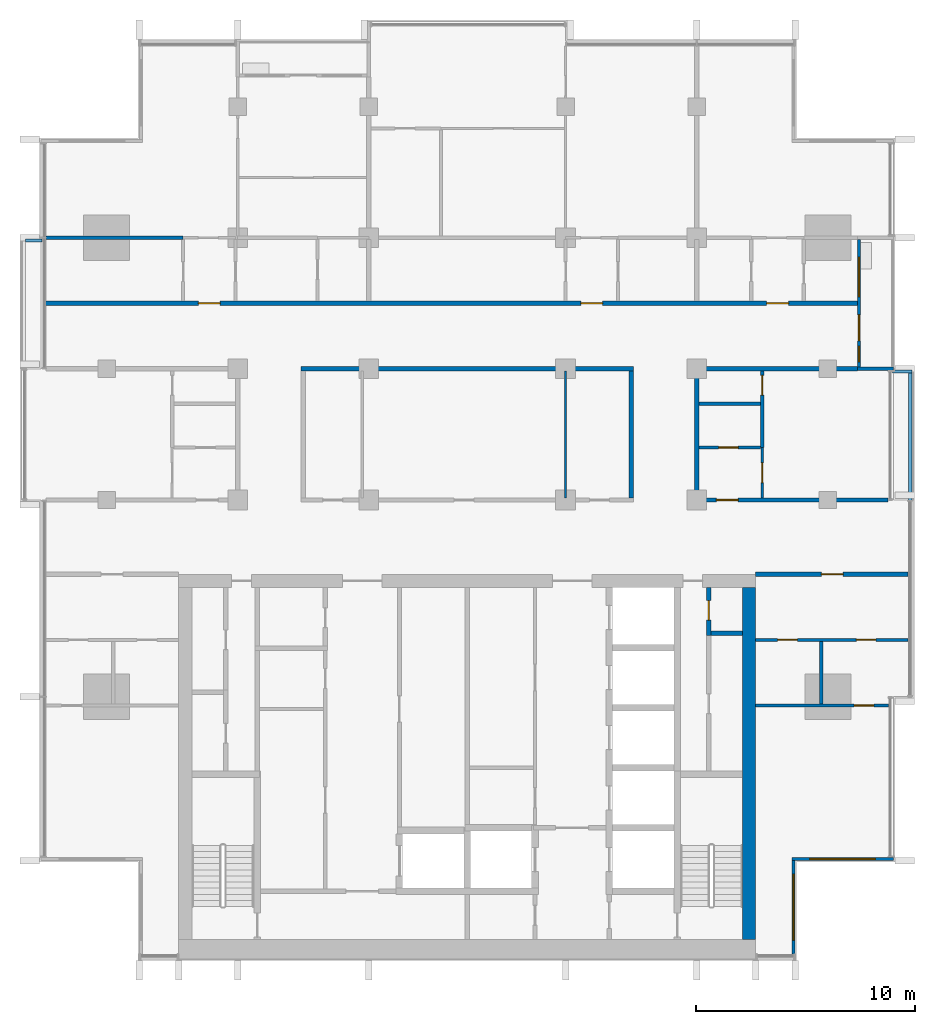
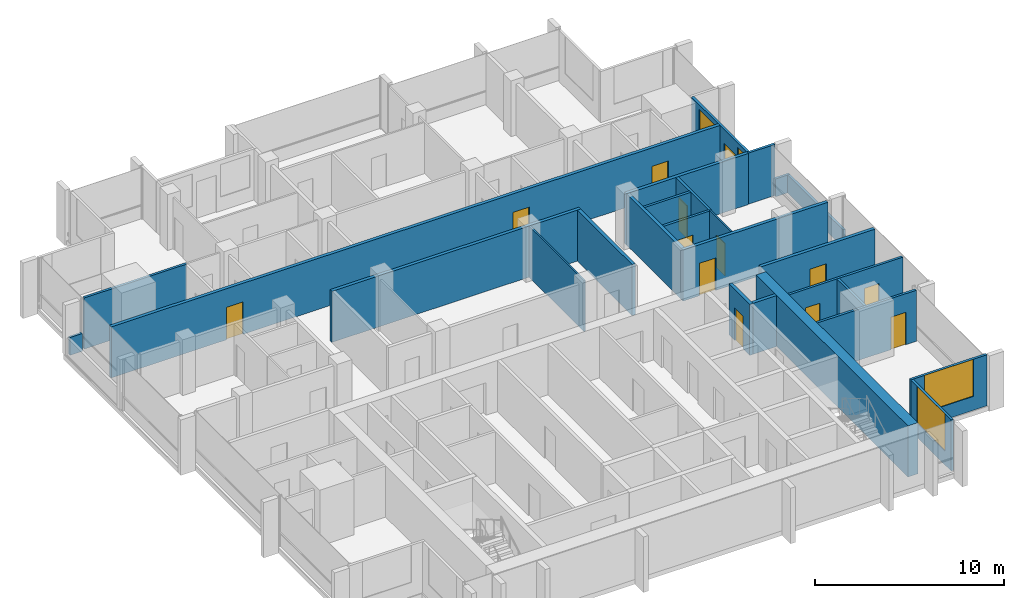
# One storey, part 9 of 16: 26 walls, 13 doors, 4 windows, 17 openings.
"""IFC4 building model written with IfcOpenShell, lengths in metres."""

from ifc_helpers import new_model, si_unit, direction, frame, frame_2d, origin, place, context, subcontext, project, spatial, rectangle, extrude, material, layer, layer_set, type_object, element, fill, save


model = new_model("IFC4")

# Units and contexts
model_context = context("Model", 3, precision=1e-05, world=origin(), true_north=direction((0.0, 1.0)))
body_context = subcontext(model_context, "Body", "Model", "MODEL_VIEW")
ifc_project = project(units=[si_unit("LENGTHUNIT", "METRE"), si_unit("AREAUNIT", "SQUARE_METRE"), si_unit("VOLUMEUNIT", "CUBIC_METRE"), si_unit("PLANEANGLEUNIT", "RADIAN"), si_unit("MASSUNIT", "GRAM", prefix="KILO")], contexts=[model_context])

# Site, building, storey
site_placement = place(None, origin())
site = spatial("IfcSite", under=ifc_project, at=site_placement, CompositionType="ELEMENT")
building_placement = place(site_placement, origin())
building = spatial("IfcBuilding", under=site, at=building_placement, Name="Finial Court Residences", CompositionType="ELEMENT")
storey_placement = place(building_placement, frame((0.0, 0.0, 237.5)))
storey = spatial("IfcBuildingStorey", under=building, at=storey_placement, Name="L60", CompositionType="ELEMENT", Elevation=237.5)

# Wall
ifc_material_1 = material(Name="Concrete C60/75", Category="concrete")
ifc_layer_1 = layer(ifc_material_1, 0.60009765625)
ifc_layer_set_1 = layer_set([ifc_layer_1], Name="Core outer wall 600 Concrete C60/75")
wall_type_1 = type_object("IfcWallType", Name="Core outer wall 600 Concrete C60/75", PredefinedType="SHEAR", material=ifc_layer_set_1)
wall_1_placement = place(storey_placement, frame((12.89990234375, -24.60009765625, 0.0), z_axis=(0.0, 0.0, 1.0), x_axis=(0.0, 1.0, 0.0)))
element("IfcWall", 1, at=wall_1_placement, inside=storey, type_object=wall_type_1, Name="Core outer wall L60-04", PredefinedType="SHEAR", context=body_context, shape_type="SweptSolid", body=[
    extrude(rectangle(XDim=16.10009765625, YDim=0.60009765625, at=frame_2d((8.050048828125, 0.0))), origin(), (0.0, 0.0, 1.0), 3.300048828125),
])

# Wall, opening, door
ifc_material_2 = material(Name="Gypsum board")
ifc_layer_2 = layer(ifc_material_2, 0.02490234375)
ifc_material_3 = material(Name="Acoustic mineral wool in double frame")
ifc_layer_3 = layer(ifc_material_3, 0.14990234375)
ifc_layer_4 = layer(ifc_material_2, 0.02490234375)
ifc_layer_set_2 = layer_set([ifc_layer_2, ifc_layer_3, ifc_layer_4], Name="Corridor wall 200, 1 hour")
wall_type_2 = type_object("IfcWallType", Name="Corridor wall 200, 1 hour", PredefinedType="PARTITIONING", material=ifc_layer_set_2)
wall_2_placement = place(storey_placement, frame((13.199951171875, -7.89990234375, 0.0), z_axis=(0.0, 0.0, 1.0), x_axis=(1.0, 0.0, 0.0)))
wall_2 = element("IfcWall", 2, at=wall_2_placement, inside=storey, type_object=wall_type_2, Name="Partition L60-005", PredefinedType="PARTITIONING", context=body_context, shape_type="SweptSolid", body=[
    extrude(rectangle(XDim=6.962646484375, YDim=0.199951171875, at=frame_2d((3.4814453125, 0.0))), origin(), (0.0, 0.0, 1.0), 3.300048828125),
])
opening_1_placement = place(wall_2_placement, frame((3.0, 0.0, 0.0)))
opening_1 = element("IfcOpeningElement", 3, at=opening_1_placement, cuts=wall_2, Name="Opening L60-D008", PredefinedType="OPENING", context=body_context, shape_type="SweptSolid", body=[
    extrude(rectangle(XDim=1.0, YDim=2.10009765625, at=frame_2d((0.5, 1.050048828125))), frame((0.0, 0.10986328125, 0.0), z_axis=(0.0, -1.0, 0.0), x_axis=(1.0, 0.0, 0.0)), (0.0, 0.0, 1.0), 0.219970703125),
])
ifc_material_4 = material(Name="Timber door leaf in hollow metal frame", Category="wood")
door_type_1 = type_object("IfcDoorType", Name="Fire door set 1000 x 2100, 30 minutes", OperationType="SINGLE_SWING_LEFT", PredefinedType="DOOR", material=ifc_material_4)
door_1_placement = place(opening_1_placement, origin())
door_1 = element("IfcDoor", 4, at=door_1_placement, inside=storey, type_object=door_type_1, Name="Door L60-D008", OperationType="SINGLE_SWING_RIGHT", OverallHeight=2.10009765625, OverallWidth=1.0, PredefinedType="DOOR", context=body_context, shape_type="SweptSolid", body=[
    extrude(rectangle(XDim=1.0, YDim=2.10009765625, at=frame_2d((0.5, 1.050048828125))), frame((0.0, 0.02490234375, 0.0), z_axis=(0.0, -1.0, 0.0), x_axis=(1.0, 0.0, 0.0)), (0.0, 0.0, 1.0), 0.050048828125),
])
fill(opening_1, door_1)

wall_3_placement = place(storey_placement, frame((10.39990234375, -4.5, 0.0), z_axis=(0.0, 0.0, 1.0), x_axis=(1.0, 0.0, 0.0)))
wall_3 = element("IfcWall", 5, at=wall_3_placement, inside=storey, type_object=wall_type_2, Name="Partition L60-008", PredefinedType="PARTITIONING", context=body_context, shape_type="SweptSolid", body=[
    extrude(rectangle(XDim=8.862548828125, YDim=0.199951171875, at=frame_2d((4.43115234375, 0.0))), origin(), (0.0, 0.0, 1.0), 3.300048828125),
])
opening_2_placement = place(wall_3_placement, frame((1.0, 0.0, 0.0)))
opening_2 = element("IfcOpeningElement", 6, at=opening_2_placement, cuts=wall_3, Name="Opening L60-D013", PredefinedType="OPENING", context=body_context, shape_type="SweptSolid", body=[
    extrude(rectangle(XDim=1.0, YDim=2.10009765625, at=frame_2d((0.5, 1.050048828125))), frame((0.0, 0.10986328125, 0.0), z_axis=(0.0, -1.0, 0.0), x_axis=(1.0, 0.0, 0.0)), (0.0, 0.0, 1.0), 0.219970703125),
])
door_2_placement = place(opening_2_placement, origin())
door_2 = element("IfcDoor", 7, at=door_2_placement, inside=storey, type_object=door_type_1, Name="Door L60-D013", OperationType="SINGLE_SWING_RIGHT", OverallHeight=2.10009765625, OverallWidth=1.0, PredefinedType="DOOR", context=body_context, shape_type="SweptSolid", body=[
    extrude(rectangle(XDim=1.0, YDim=2.10009765625, at=frame_2d((0.5, 1.050048828125))), frame((0.0, 0.02490234375, 0.0), z_axis=(0.0, -1.0, 0.0), x_axis=(1.0, 0.0, 0.0)), (0.0, 0.0, 1.0), 0.050048828125),
])
fill(opening_2, door_2)

# Walls
wall_4_placement = place(storey_placement, frame((-7.60009765625, 1.5, 0.0), z_axis=(0.0, 0.0, 1.0), x_axis=(1.0, 0.0, 0.0)))
element("IfcWall", 8, at=wall_4_placement, inside=storey, type_object=wall_type_2, Name="Partition L60-014", PredefinedType="PARTITIONING", context=body_context, shape_type="SweptSolid", body=[
    extrude(rectangle(XDim=15.2001953125, YDim=0.199951171875, at=frame_2d((7.60009765625, 0.0))), origin(), (0.0, 0.0, 1.0), 3.300048828125),
])
wall_5_placement = place(storey_placement, frame((10.39990234375, 1.5, 0.0), z_axis=(0.0, 0.0, 1.0), x_axis=(1.0, 0.0, 0.0)))
element("IfcWall", 9, at=wall_5_placement, inside=storey, type_object=wall_type_2, Name="Partition L60-015", PredefinedType="PARTITIONING", context=body_context, shape_type="SweptSolid", body=[
    extrude(rectangle(XDim=7.4501953125, YDim=0.199951171875, at=frame_2d((3.72509765625, 0.0))), origin(), (0.0, 0.0, 1.0), 3.300048828125),
])

# Wall, openings, doors
wall_6_placement = place(storey_placement, frame((-19.35009765625, 4.5, 0.0), z_axis=(0.0, 0.0, 1.0), x_axis=(1.0, 0.0, 0.0)))
wall_6 = element("IfcWall", 10, at=wall_6_placement, inside=storey, type_object=wall_type_2, Name="Partition L60-016", PredefinedType="PARTITIONING", context=body_context, shape_type="SweptSolid", body=[
    extrude(rectangle(XDim=37.2001953125, YDim=0.199951171875, at=frame_2d((18.60009765625, 0.0))), origin(), (0.0, 0.0, 1.0), 3.300048828125),
])
opening_3_placement = place(wall_6_placement, frame((7.050048828125, 0.0, 0.0)))
opening_3 = element("IfcOpeningElement", 11, at=opening_3_placement, cuts=wall_6, Name="Opening L60-D016", PredefinedType="OPENING", context=body_context, shape_type="SweptSolid", body=[
    extrude(rectangle(XDim=1.0, YDim=2.10009765625, at=frame_2d((0.5, 1.050048828125))), frame((0.0, 0.10986328125, 0.0), z_axis=(0.0, -1.0, 0.0), x_axis=(1.0, 0.0, 0.0)), (0.0, 0.0, 1.0), 0.219970703125),
])
opening_4_placement = place(wall_6_placement, frame((24.550048828125, 0.0, 0.0)))
opening_4 = element("IfcOpeningElement", 12, at=opening_4_placement, cuts=wall_6, Name="Opening L60-D017", PredefinedType="OPENING", context=body_context, shape_type="SweptSolid", body=[
    extrude(rectangle(XDim=1.0, YDim=2.10009765625, at=frame_2d((0.5, 1.050048828125))), frame((0.0, 0.10986328125, 0.0), z_axis=(0.0, -1.0, 0.0), x_axis=(1.0, 0.0, 0.0)), (0.0, 0.0, 1.0), 0.219970703125),
])
opening_5_placement = place(wall_6_placement, frame((33.050048828125, 0.0, 0.0)))
opening_5 = element("IfcOpeningElement", 13, at=opening_5_placement, cuts=wall_6, Name="Opening L60-D018", PredefinedType="OPENING", context=body_context, shape_type="SweptSolid", body=[
    extrude(rectangle(XDim=1.0, YDim=2.10009765625, at=frame_2d((0.5, 1.050048828125))), frame((0.0, 0.10986328125, 0.0), z_axis=(0.0, -1.0, 0.0), x_axis=(1.0, 0.0, 0.0)), (0.0, 0.0, 1.0), 0.219970703125),
])
door_3_placement = place(opening_3_placement, origin())
door_3 = element("IfcDoor", 14, at=door_3_placement, inside=storey, type_object=door_type_1, Name="Door L60-D016", OperationType="SINGLE_SWING_RIGHT", OverallHeight=2.10009765625, OverallWidth=1.0, PredefinedType="DOOR", context=body_context, shape_type="SweptSolid", body=[
    extrude(rectangle(XDim=1.0, YDim=2.10009765625, at=frame_2d((0.5, 1.050048828125))), frame((0.0, 0.02490234375, 0.0), z_axis=(0.0, -1.0, 0.0), x_axis=(1.0, 0.0, 0.0)), (0.0, 0.0, 1.0), 0.050048828125),
])
fill(opening_3, door_3)
door_4_placement = place(opening_4_placement, origin())
door_4 = element("IfcDoor", 15, at=door_4_placement, inside=storey, type_object=door_type_1, Name="Door L60-D017", OperationType="SINGLE_SWING_LEFT", OverallHeight=2.10009765625, OverallWidth=1.0, PredefinedType="DOOR", context=body_context, shape_type="SweptSolid", body=[
    extrude(rectangle(XDim=1.0, YDim=2.10009765625, at=frame_2d((0.5, 1.050048828125))), frame((0.0, 0.02490234375, 0.0), z_axis=(0.0, -1.0, 0.0), x_axis=(1.0, 0.0, 0.0)), (0.0, 0.0, 1.0), 0.050048828125),
])
fill(opening_4, door_4)
door_5_placement = place(opening_5_placement, origin())
door_5 = element("IfcDoor", 16, at=door_5_placement, inside=storey, type_object=door_type_1, Name="Door L60-D018", OperationType="SINGLE_SWING_LEFT", OverallHeight=2.10009765625, OverallWidth=1.0, PredefinedType="DOOR", context=body_context, shape_type="SweptSolid", body=[
    extrude(rectangle(XDim=1.0, YDim=2.10009765625, at=frame_2d((0.5, 1.050048828125))), frame((0.0, 0.02490234375, 0.0), z_axis=(0.0, -1.0, 0.0), x_axis=(1.0, 0.0, 0.0)), (0.0, 0.0, 1.0), 0.050048828125),
])
fill(opening_5, door_5)

# Walls
for number, where, z_axis, x_axis, name in (
    (17, (7.5, -4.39990234375, 0.0), (0.0, 0.0, 1.0), (0.0, 1.0, 0.0), "Partition L60-046"),
    (18, (10.5, -4.39990234375, 0.0), (0.0, 0.0, 1.0), (0.0, 1.0, 0.0), "Partition L60-047"),
):
    element("IfcWall", number, at=place(storey_placement, frame(where, z_axis=z_axis, x_axis=x_axis)), inside=storey, type_object=wall_type_2, Name=name, PredefinedType="PARTITIONING", context=body_context, shape_type="SweptSolid", body=[
        extrude(rectangle(XDim=5.7998046875, YDim=0.199951171875, at=frame_2d((2.89990234375, 0.0))), origin(), (0.0, 0.0, 1.0), 3.300048828125),
    ])
ifc_layer_5 = layer(ifc_material_2, 0.012451171875)
ifc_material_5 = material(Name="Mineral wool in light-gauge frame")
ifc_layer_6 = layer(ifc_material_5, 0.074951171875)
ifc_layer_7 = layer(ifc_material_2, 0.012451171875)
ifc_layer_set_3 = layer_set([ifc_layer_5, ifc_layer_6, ifc_layer_7], Name="Gypsum board partition 100")
wall_type_3 = type_object("IfcWallType", Name="Gypsum board partition 100", PredefinedType="PARTITIONING", material=ifc_layer_set_3)
wall_7_placement = place(storey_placement, frame((4.5, -4.39990234375, 0.0), z_axis=(0.0, 0.0, 1.0), x_axis=(0.0, 1.0, 0.0)))
element("IfcWall", 19, at=wall_7_placement, inside=storey, type_object=wall_type_3, Name="Partition L60-042", PredefinedType="PARTITIONING", context=body_context, shape_type="SweptSolid", body=[
    extrude(rectangle(XDim=5.7998046875, YDim=0.10009765625, at=frame_2d((2.89990234375, 0.0))), origin(), (0.0, 0.0, 1.0), 3.300048828125),
])

# Wall, opening, door
wall_8_placement = place(storey_placement, frame((13.5, -4.39990234375, 0.0), z_axis=(0.0, 0.0, 1.0), x_axis=(0.0, 1.0, 0.0)))
wall_8 = element("IfcWall", 20, at=wall_8_placement, inside=storey, type_object=wall_type_3, Name="Partition L60-051", PredefinedType="PARTITIONING", context=body_context, shape_type="SweptSolid", body=[
    extrude(rectangle(XDim=2.2998046875, YDim=0.10009765625, at=frame_2d((1.14990234375, 0.0))), origin(), (0.0, 0.0, 1.0), 3.300048828125),
])
opening_6_placement = place(wall_8_placement, frame((0.699951171875, 0.0, 0.0)))
opening_6 = element("IfcOpeningElement", 21, at=opening_6_placement, cuts=wall_8, Name="Opening L60-D035", PredefinedType="OPENING", context=body_context, shape_type="SweptSolid", body=[
    extrude(rectangle(XDim=0.89990234375, YDim=2.10009765625, at=frame_2d((0.449951171875, 1.050048828125))), frame((0.0, 0.06005859375, 0.0), z_axis=(0.0, -1.0, 0.0), x_axis=(1.0, 0.0, 0.0)), (0.0, 0.0, 1.0), 0.1201171875),
])
ifc_material_6 = material(Name="Timber door leaf in timber frame", Category="wood")
door_type_2 = type_object("IfcDoorType", Name="Door set 900 x 2100", OperationType="SINGLE_SWING_LEFT", PredefinedType="DOOR", material=ifc_material_6)
door_6_placement = place(opening_6_placement, origin())
door_6 = element("IfcDoor", 22, at=door_6_placement, inside=storey, type_object=door_type_2, Name="Door L60-D035", OperationType="SINGLE_SWING_LEFT", OverallHeight=2.10009765625, OverallWidth=0.89990234375, PredefinedType="DOOR", context=body_context, shape_type="SweptSolid", body=[
    extrude(rectangle(XDim=0.89990234375, YDim=2.10009765625, at=frame_2d((0.449951171875, 1.050048828125))), frame((0.0, 0.02490234375, 0.0), z_axis=(0.0, -1.0, 0.0), x_axis=(1.0, 0.0, 0.0)), (0.0, 0.0, 1.0), 0.050048828125),
])
fill(opening_6, door_6)

ifc_material_7 = material(Name="Moisture-resistant gypsum board")
ifc_layer_8 = layer(ifc_material_7, 0.012451171875)
ifc_layer_9 = layer(ifc_material_5, 0.125)
ifc_layer_10 = layer(ifc_material_7, 0.012451171875)
ifc_layer_set_4 = layer_set([ifc_layer_8, ifc_layer_9, ifc_layer_10], Name="Gypsum board wet-area partition 150")
wall_type_4 = type_object("IfcWallType", Name="Gypsum board wet-area partition 150", PredefinedType="PARTITIONING", material=ifc_layer_set_4)
wall_9_placement = place(storey_placement, frame((13.199951171875, -13.89990234375, 0.0), z_axis=(0.0, 0.0, 1.0), x_axis=(1.0, 0.0, 0.0)))
wall_9 = element("IfcWall", 23, at=wall_9_placement, inside=storey, type_object=wall_type_4, Name="Partition L60-001", PredefinedType="PARTITIONING", context=body_context, shape_type="SweptSolid", body=[
    extrude(rectangle(XDim=6.0625, YDim=0.14990234375, at=frame_2d((3.03125, 0.0))), origin(), (0.0, 0.0, 1.0), 3.300048828125),
])
opening_7_placement = place(wall_9_placement, frame((4.5, 0.0, 0.0)))
opening_7 = element("IfcOpeningElement", 24, at=opening_7_placement, cuts=wall_9, Name="Opening L60-D002", PredefinedType="OPENING", context=body_context, shape_type="SweptSolid", body=[
    extrude(rectangle(XDim=0.89990234375, YDim=2.10009765625, at=frame_2d((0.449951171875, 1.050048828125))), frame((0.0, 0.0849609375, 0.0), z_axis=(0.0, -1.0, 0.0), x_axis=(1.0, 0.0, 0.0)), (0.0, 0.0, 1.0), 0.169921875),
])
door_7_placement = place(opening_7_placement, origin())
door_7 = element("IfcDoor", 25, at=door_7_placement, inside=storey, type_object=door_type_2, Name="Door L60-D002", OperationType="SINGLE_SWING_RIGHT", OverallHeight=2.10009765625, OverallWidth=0.89990234375, PredefinedType="DOOR", context=body_context, shape_type="SweptSolid", body=[
    extrude(rectangle(XDim=0.89990234375, YDim=2.10009765625, at=frame_2d((0.449951171875, 1.050048828125))), frame((0.0, 0.02490234375, 0.0), z_axis=(0.0, -1.0, 0.0), x_axis=(1.0, 0.0, 0.0)), (0.0, 0.0, 1.0), 0.050048828125),
])
fill(opening_7, door_7)

# Wall, openings, doors
wall_10_placement = place(storey_placement, frame((13.199951171875, -10.89990234375, 0.0), z_axis=(0.0, 0.0, 1.0), x_axis=(1.0, 0.0, 0.0)))
wall_10 = element("IfcWall", 26, at=wall_10_placement, inside=storey, type_object=wall_type_4, Name="Partition L60-003", PredefinedType="PARTITIONING", context=body_context, shape_type="SweptSolid", body=[
    extrude(rectangle(XDim=6.962646484375, YDim=0.14990234375, at=frame_2d((3.4814453125, 0.0))), origin(), (0.0, 0.0, 1.0), 3.300048828125),
])
opening_8_placement = place(wall_10_placement, frame((1.0, 0.0, 0.0)))
opening_8 = element("IfcOpeningElement", 27, at=opening_8_placement, cuts=wall_10, Name="Opening L60-D005", PredefinedType="OPENING", context=body_context, shape_type="SweptSolid", body=[
    extrude(rectangle(XDim=0.89990234375, YDim=2.10009765625, at=frame_2d((0.449951171875, 1.050048828125))), frame((0.0, 0.0849609375, 0.0), z_axis=(0.0, -1.0, 0.0), x_axis=(1.0, 0.0, 0.0)), (0.0, 0.0, 1.0), 0.169921875),
])
opening_9_placement = place(wall_10_placement, frame((4.60009765625, 0.0, 0.0)))
opening_9 = element("IfcOpeningElement", 28, at=opening_9_placement, cuts=wall_10, Name="Opening L60-D006", PredefinedType="OPENING", context=body_context, shape_type="SweptSolid", body=[
    extrude(rectangle(XDim=0.89990234375, YDim=2.10009765625, at=frame_2d((0.449951171875, 1.050048828125))), frame((0.0, 0.0849609375, 0.0), z_axis=(0.0, -1.0, 0.0), x_axis=(1.0, 0.0, 0.0)), (0.0, 0.0, 1.0), 0.169921875),
])
door_8_placement = place(opening_8_placement, origin())
door_8 = element("IfcDoor", 29, at=door_8_placement, inside=storey, type_object=door_type_2, Name="Door L60-D005", OperationType="SINGLE_SWING_LEFT", OverallHeight=2.10009765625, OverallWidth=0.89990234375, PredefinedType="DOOR", context=body_context, shape_type="SweptSolid", body=[
    extrude(rectangle(XDim=0.89990234375, YDim=2.10009765625, at=frame_2d((0.449951171875, 1.050048828125))), frame((0.0, 0.02490234375, 0.0), z_axis=(0.0, -1.0, 0.0), x_axis=(1.0, 0.0, 0.0)), (0.0, 0.0, 1.0), 0.050048828125),
])
fill(opening_8, door_8)
door_9_placement = place(opening_9_placement, origin())
door_9 = element("IfcDoor", 30, at=door_9_placement, inside=storey, type_object=door_type_2, Name="Door L60-D006", OperationType="SINGLE_SWING_RIGHT", OverallHeight=2.10009765625, OverallWidth=0.89990234375, PredefinedType="DOOR", context=body_context, shape_type="SweptSolid", body=[
    extrude(rectangle(XDim=0.89990234375, YDim=2.10009765625, at=frame_2d((0.449951171875, 1.050048828125))), frame((0.0, 0.02490234375, 0.0), z_axis=(0.0, -1.0, 0.0), x_axis=(1.0, 0.0, 0.0)), (0.0, 0.0, 1.0), 0.050048828125),
])
fill(opening_9, door_9)

# Wall, opening, door
wall_11_placement = place(storey_placement, frame((10.60009765625, -2.10009765625, 0.0), z_axis=(0.0, 0.0, 1.0), x_axis=(1.0, 0.0, 0.0)))
wall_11 = element("IfcWall", 31, at=wall_11_placement, inside=storey, type_object=wall_type_4, Name="Partition L60-010", PredefinedType="PARTITIONING", context=body_context, shape_type="SweptSolid", body=[
    extrude(rectangle(XDim=2.824951171875, YDim=0.14990234375, at=frame_2d((1.41259765625, 0.0))), origin(), (0.0, 0.0, 1.0), 3.300048828125),
])
opening_10_placement = place(wall_11_placement, frame((0.89990234375, 0.0, 0.0)))
opening_10 = element("IfcOpeningElement", 32, at=opening_10_placement, cuts=wall_11, Name="Opening L60-D015", PredefinedType="OPENING", context=body_context, shape_type="SweptSolid", body=[
    extrude(rectangle(XDim=0.89990234375, YDim=2.10009765625, at=frame_2d((0.449951171875, 1.050048828125))), frame((0.0, 0.0849609375, 0.0), z_axis=(0.0, -1.0, 0.0), x_axis=(1.0, 0.0, 0.0)), (0.0, 0.0, 1.0), 0.169921875),
])
door_10_placement = place(opening_10_placement, origin())
door_10 = element("IfcDoor", 33, at=door_10_placement, inside=storey, type_object=door_type_2, Name="Door L60-D015", OperationType="SINGLE_SWING_LEFT", OverallHeight=2.10009765625, OverallWidth=0.89990234375, PredefinedType="DOOR", context=body_context, shape_type="SweptSolid", body=[
    extrude(rectangle(XDim=0.89990234375, YDim=2.10009765625, at=frame_2d((0.449951171875, 1.050048828125))), frame((0.0, 0.02490234375, 0.0), z_axis=(0.0, -1.0, 0.0), x_axis=(1.0, 0.0, 0.0)), (0.0, 0.0, 1.0), 0.050048828125),
])
fill(opening_10, door_10)

# Walls
wall_12_placement = place(storey_placement, frame((10.60009765625, -0.10009765625, 0.0), z_axis=(0.0, 0.0, 1.0), x_axis=(1.0, 0.0, 0.0)))
element("IfcWall", 34, at=wall_12_placement, inside=storey, type_object=wall_type_4, Name="Partition L60-012", PredefinedType="PARTITIONING", context=body_context, shape_type="SweptSolid", body=[
    extrude(rectangle(XDim=2.824951171875, YDim=0.14990234375, at=frame_2d((1.41259765625, 0.0))), origin(), (0.0, 0.0, 1.0), 3.300048828125),
])
wall_13_placement = place(storey_placement, frame((-19.262451171875, 7.5, 0.0), z_axis=(0.0, 0.0, 1.0), x_axis=(1.0, 0.0, 0.0)))
element("IfcWall", 35, at=wall_13_placement, inside=storey, type_object=wall_type_4, Name="Partition L60-021", PredefinedType="PARTITIONING", context=body_context, shape_type="SweptSolid", body=[
    extrude(rectangle(XDim=6.262451171875, YDim=0.14990234375, at=frame_2d((3.13134765625, 0.0))), origin(), (0.0, 0.0, 1.0), 3.300048828125),
])

# Wall, opening, door
wall_14_placement = place(storey_placement, frame((13.5, -2.10009765625, 0.0), z_axis=(0.0, 0.0, 1.0), x_axis=(0.0, 1.0, 0.0)))
wall_14 = element("IfcWall", 36, at=wall_14_placement, inside=storey, type_object=wall_type_4, Name="Partition L60-052", PredefinedType="PARTITIONING", context=body_context, shape_type="SweptSolid", body=[
    extrude(rectangle(XDim=3.5, YDim=0.14990234375, at=frame_2d((1.75, 0.0))), origin(), (0.0, 0.0, 1.0), 3.300048828125),
])
opening_11_placement = place(wall_14_placement, frame((2.39990234375, 0.0, 0.0)))
opening_11 = element("IfcOpeningElement", 37, at=opening_11_placement, cuts=wall_14, Name="Opening L60-D036", PredefinedType="OPENING", context=body_context, shape_type="SweptSolid", body=[
    extrude(rectangle(XDim=0.89990234375, YDim=2.10009765625, at=frame_2d((0.449951171875, 1.050048828125))), frame((0.0, 0.0849609375, 0.0), z_axis=(0.0, -1.0, 0.0), x_axis=(1.0, 0.0, 0.0)), (0.0, 0.0, 1.0), 0.169921875),
])
door_11_placement = place(opening_11_placement, origin())
door_11 = element("IfcDoor", 38, at=door_11_placement, inside=storey, type_object=door_type_2, Name="Door L60-D036", OperationType="SINGLE_SWING_LEFT", OverallHeight=2.10009765625, OverallWidth=0.89990234375, PredefinedType="DOOR", context=body_context, shape_type="SweptSolid", body=[
    extrude(rectangle(XDim=0.89990234375, YDim=2.10009765625, at=frame_2d((0.449951171875, 1.050048828125))), frame((0.0, 0.02490234375, 0.0), z_axis=(0.0, -1.0, 0.0), x_axis=(1.0, 0.0, 0.0)), (0.0, 0.0, 1.0), 0.050048828125),
])
fill(opening_11, door_11)

# Walls
wall_15_placement = place(storey_placement, frame((16.199951171875, -13.824951171875, 0.0), z_axis=(0.0, 0.0, 1.0), x_axis=(0.0, 1.0, 0.0)))
element("IfcWall", 39, at=wall_15_placement, inside=storey, type_object=wall_type_4, Name="Partition L60-054", PredefinedType="PARTITIONING", context=body_context, shape_type="SweptSolid", body=[
    extrude(rectangle(XDim=2.849853515625, YDim=0.14990234375, at=frame_2d((1.4248046875, 0.0))), origin(), (0.0, 0.0, 1.0), 3.300048828125),
])
ifc_material_8 = material(Name="Concrete C35/45", Category="concrete")
ifc_layer_11 = layer(ifc_material_8, 0.14990234375)
ifc_layer_set_5 = layer_set([ifc_layer_11], Name="Ledge parapet, Concrete C35/45 150")
wall_type_5 = type_object("IfcWallType", Name="Ledge parapet, Concrete C35/45 150", PredefinedType="PARAPET", material=ifc_layer_set_5)
wall_16_placement = place(storey_placement, frame((-20.199951171875, 7.375, 0.0), z_axis=(0.0, 0.0, 1.0), x_axis=(1.0, 0.0, 0.0)))
element("IfcWall", 40, at=wall_16_placement, inside=storey, type_object=wall_type_5, Name="E-L60-LED1-P2", PredefinedType="PARAPET", context=body_context, shape_type="SweptSolid", body=[
    extrude(rectangle(XDim=0.75244140625, YDim=0.14990234375, at=frame_2d((0.376220703125, 0.0))), origin(), (0.0, 0.0, 1.0), 1.14990234375),
])
wall_17_placement = place(storey_placement, frame((19.447509765625, 1.375, 0.0), z_axis=(0.0, 0.0, 1.0), x_axis=(1.0, 0.0, 0.0)))
element("IfcWall", 41, at=wall_17_placement, inside=storey, type_object=wall_type_5, Name="E-L60-LED2-P1", PredefinedType="PARAPET", context=body_context, shape_type="SweptSolid", body=[
    extrude(rectangle(XDim=0.902587890625, YDim=0.14990234375, at=frame_2d((0.451171875, 0.0))), origin(), (0.0, 0.0, 1.0), 1.14990234375),
])
wall_18_placement = place(storey_placement, frame((20.27490234375, 1.300048828125, 0.0), z_axis=(0.0, 0.0, 1.0), x_axis=(0.0, -1.0, 0.0)))
element("IfcWall", 42, at=wall_18_placement, inside=storey, type_object=wall_type_5, Name="E-L60-LED2-P2", PredefinedType="PARAPET", context=body_context, shape_type="SweptSolid", body=[
    extrude(rectangle(XDim=5.8525390625, YDim=0.14990234375, at=frame_2d((2.92626953125, 0.0))), origin(), (0.0, 0.0, 1.0), 1.14990234375),
])

# Wall, opening, window
ifc_material_9 = material(Name="Natural limestone", Category="masonry")
ifc_layer_12 = layer(ifc_material_9, 0.14990234375)
ifc_layer_set_6 = layer_set([ifc_layer_12], Name="Limestone clad wall 150")
wall_type_6 = type_object("IfcWallType", Name="Limestone clad wall 150", PredefinedType="SOLIDWALL", material=ifc_layer_set_6)
wall_19_placement = place(storey_placement, frame((14.925048828125, -21.0, 0.0), z_axis=(0.0, 0.0, 1.0), x_axis=(0.0, -1.0, 0.0)))
wall_19 = element("IfcWall", 43, at=wall_19_placement, inside=storey, type_object=wall_type_6, Name="E-L60-NWE15", PredefinedType="SOLIDWALL", context=body_context, shape_type="SweptSolid", body=[
    extrude(rectangle(XDim=4.262451171875, YDim=0.14990234375, at=frame_2d((2.13134765625, 0.0))), origin(), (0.0, 0.0, 1.0), 3.300048828125),
])
opening_12_placement = place(wall_19_placement, frame((0.63134765625, 0.0, 0.89990234375)))
opening_12 = element("IfcOpeningElement", 44, at=opening_12_placement, cuts=wall_19, Name="Opening WE60-03", PredefinedType="OPENING", context=body_context, shape_type="SweptSolid", body=[
    extrude(rectangle(XDim=3.0, YDim=2.39990234375, at=frame_2d((1.5, 1.199951171875))), frame((0.0, 0.0849609375, 0.0), z_axis=(0.0, -1.0, 0.0), x_axis=(1.0, 0.0, 0.0)), (0.0, 0.0, 1.0), 0.169921875),
])
ifc_material_10 = material(Name="Clear low-e glass", Category="glass")
window_type_1 = type_object("IfcWindowType", Name="Corner window 3000 x 2400", PartitioningType="SINGLE_PANEL", PredefinedType="WINDOW", material=ifc_material_10)
window_1_placement = place(opening_12_placement, origin())
window_1 = element("IfcWindow", 45, at=window_1_placement, inside=storey, type_object=window_type_1, Name="E-L60-NWE15-W1", OverallHeight=2.39990234375, OverallWidth=3.0, PartitioningType="SINGLE_PANEL", PredefinedType="WINDOW", context=body_context, shape_type="SweptSolid", body=[
    extrude(rectangle(XDim=3.0, YDim=2.39990234375, at=frame_2d((1.5, 1.199951171875))), frame((0.0, 0.030029296875, 0.0), z_axis=(0.0, -1.0, 0.0), x_axis=(1.0, 0.0, 0.0)), (0.0, 0.0, 1.0), 0.06005859375),
])
fill(opening_12, window_1)

wall_20_placement = place(storey_placement, frame((19.5, -20.925048828125, 0.0), z_axis=(0.0, 0.0, 1.0), x_axis=(-1.0, 0.0, 0.0)))
wall_20 = element("IfcWall", 46, at=wall_20_placement, inside=storey, type_object=wall_type_6, Name="E-L60-NWS16", PredefinedType="SOLIDWALL", context=body_context, shape_type="SweptSolid", body=[
    extrude(rectangle(XDim=4.64990234375, YDim=0.14990234375, at=frame_2d((2.324951171875, 0.0))), origin(), (0.0, 0.0, 1.0), 3.300048828125),
])
opening_13_placement = place(wall_20_placement, frame((0.824951171875, 0.0, 0.89990234375)))
opening_13 = element("IfcOpeningElement", 47, at=opening_13_placement, cuts=wall_20, Name="Opening WE60-04", PredefinedType="OPENING", context=body_context, shape_type="SweptSolid", body=[
    extrude(rectangle(XDim=3.0, YDim=2.39990234375, at=frame_2d((1.5, 1.199951171875))), frame((0.0, 0.0849609375, 0.0), z_axis=(0.0, -1.0, 0.0), x_axis=(1.0, 0.0, 0.0)), (0.0, 0.0, 1.0), 0.169921875),
])
window_2_placement = place(opening_13_placement, origin())
window_2 = element("IfcWindow", 48, at=window_2_placement, inside=storey, type_object=window_type_1, Name="E-L60-NWS16-W1", OverallHeight=2.39990234375, OverallWidth=3.0, PartitioningType="SINGLE_PANEL", PredefinedType="WINDOW", context=body_context, shape_type="SweptSolid", body=[
    extrude(rectangle(XDim=3.0, YDim=2.39990234375, at=frame_2d((1.5, 1.199951171875))), frame((0.0, 0.030029296875, 0.0), z_axis=(0.0, -1.0, 0.0), x_axis=(1.0, 0.0, 0.0)), (0.0, 0.0, 1.0), 0.06005859375),
])
fill(opening_13, window_2)

# Wall
wall_21_placement = place(storey_placement, frame((17.85009765625, 1.5, 0.0), z_axis=(0.0, 0.0, 1.0), x_axis=(1.0, 0.0, 0.0)))
element("IfcWall", 49, at=wall_21_placement, inside=storey, type_object=wall_type_6, Name="E-L60-BALE4-P1", PredefinedType="SOLIDWALL", context=body_context, shape_type="SweptSolid", body=[
    extrude(rectangle(XDim=1.64990234375, YDim=0.14990234375, at=frame_2d((0.824951171875, 0.0))), origin(), (0.0, 0.0, 1.0), 3.300048828125),
])

# Wall, openings, door, windows
wall_22_placement = place(storey_placement, frame((17.925048828125, 7.425048828125, 0.0), z_axis=(0.0, 0.0, 1.0), x_axis=(0.0, -1.0, 0.0)))
wall_22 = element("IfcWall", 50, at=wall_22_placement, inside=storey, type_object=wall_type_6, Name="E-L60-L60-BALE4-W", PredefinedType="SOLIDWALL", context=body_context, shape_type="SweptSolid", body=[
    extrude(rectangle(XDim=5.85009765625, YDim=0.14990234375, at=frame_2d((2.925048828125, 0.0))), origin(), (0.0, 0.0, 1.0), 3.300048828125),
])
opening_14_placement = place(wall_22_placement, frame((3.449951171875, 0.0, 0.0)))
opening_14 = element("IfcOpeningElement", 51, at=opening_14_placement, cuts=wall_22, Name="Opening DE60-02", PredefinedType="OPENING", context=body_context, shape_type="SweptSolid", body=[
    extrude(rectangle(XDim=1.199951171875, YDim=2.39990234375, at=frame_2d((0.60009765625, 1.199951171875))), frame((0.0, 0.0849609375, 0.0), z_axis=(0.0, -1.0, 0.0), x_axis=(1.0, 0.0, 0.0)), (0.0, 0.0, 1.0), 0.169921875),
])
opening_15_placement = place(wall_22_placement, frame((4.89990234375, 0.0, 0.89990234375)))
opening_15 = element("IfcOpeningElement", 52, at=opening_15_placement, cuts=wall_22, Name="Opening WE60-11", PredefinedType="OPENING", context=body_context, shape_type="SweptSolid", body=[
    extrude(rectangle(XDim=0.699951171875, YDim=2.10009765625, at=frame_2d((0.35009765625, 1.050048828125))), frame((0.0, 0.0849609375, 0.0), z_axis=(0.0, -1.0, 0.0), x_axis=(1.0, 0.0, 0.0)), (0.0, 0.0, 1.0), 0.169921875),
])
opening_16_placement = place(wall_22_placement, frame((0.824951171875, 0.0, 0.89990234375)))
opening_16 = element("IfcOpeningElement", 53, at=opening_16_placement, cuts=wall_22, Name="Opening WE60-12", PredefinedType="OPENING", context=body_context, shape_type="SweptSolid", body=[
    extrude(rectangle(XDim=1.800048828125, YDim=2.10009765625, at=frame_2d((0.89990234375, 1.050048828125))), frame((0.0, 0.0849609375, 0.0), z_axis=(0.0, -1.0, 0.0), x_axis=(1.0, 0.0, 0.0)), (0.0, 0.0, 1.0), 0.169921875),
])
ifc_material_11 = material(Name="Bronze anodised aluminium", Category="aluminium")
door_type_3 = type_object("IfcDoorType", Name="Balcony door 1200 x 2400", OperationType="SINGLE_SWING_LEFT", PredefinedType="DOOR", material=ifc_material_11)
door_12_placement = place(opening_14_placement, origin())
door_12 = element("IfcDoor", 54, at=door_12_placement, inside=storey, type_object=door_type_3, Name="E-L60-L60-BALE4-W-D", OperationType="SINGLE_SWING_LEFT", OverallHeight=2.39990234375, OverallWidth=1.199951171875, PredefinedType="DOOR", context=body_context, shape_type="SweptSolid", body=[
    extrude(rectangle(XDim=1.199951171875, YDim=2.39990234375, at=frame_2d((0.60009765625, 1.199951171875))), frame((0.0, 0.02490234375, 0.0), z_axis=(0.0, -1.0, 0.0), x_axis=(1.0, 0.0, 0.0)), (0.0, 0.0, 1.0), 0.050048828125),
])
fill(opening_14, door_12)
window_type_2 = type_object("IfcWindowType", Name="Balcony window 1800 x 2100", PartitioningType="SINGLE_PANEL", PredefinedType="WINDOW", material=ifc_material_10)
window_3_placement = place(opening_16_placement, origin())
window_3 = element("IfcWindow", 55, at=window_3_placement, inside=storey, type_object=window_type_2, Name="E-L60-L60-BALE4-W-W2", OverallHeight=2.10009765625, OverallWidth=1.800048828125, PartitioningType="SINGLE_PANEL", PredefinedType="WINDOW", context=body_context, shape_type="SweptSolid", body=[
    extrude(rectangle(XDim=1.800048828125, YDim=2.10009765625, at=frame_2d((0.89990234375, 1.050048828125))), frame((0.0, 0.030029296875, 0.0), z_axis=(0.0, -1.0, 0.0), x_axis=(1.0, 0.0, 0.0)), (0.0, 0.0, 1.0), 0.06005859375),
])
fill(opening_16, window_3)
window_type_3 = type_object("IfcWindowType", Name="Balcony window 700 x 2100", PartitioningType="SINGLE_PANEL", PredefinedType="WINDOW", material=ifc_material_10)
window_4_placement = place(opening_15_placement, origin())
window_4 = element("IfcWindow", 56, at=window_4_placement, inside=storey, type_object=window_type_3, Name="E-L60-L60-BALE4-W-W1", OverallHeight=2.10009765625, OverallWidth=0.699951171875, PartitioningType="SINGLE_PANEL", PredefinedType="WINDOW", context=body_context, shape_type="SweptSolid", body=[
    extrude(rectangle(XDim=0.699951171875, YDim=2.10009765625, at=frame_2d((0.35009765625, 1.050048828125))), frame((0.0, 0.030029296875, 0.0), z_axis=(0.0, -1.0, 0.0), x_axis=(1.0, 0.0, 0.0)), (0.0, 0.0, 1.0), 0.06005859375),
])
fill(opening_15, window_4)

# Wall
ifc_material_12 = material(Name="Fire-rated gypsum board partition")
ifc_layer_13 = layer(ifc_material_12, 0.199951171875)
ifc_layer_set_7 = layer_set([ifc_layer_13], Name="Riser room wall 200 EI 120")
wall_type_7 = type_object("IfcWallType", Name="Riser room wall 200 EI 120", PredefinedType="PARTITIONING", material=ifc_layer_set_7)
wall_23_placement = place(storey_placement, frame((11.14990234375, -10.60009765625, 0.0), z_axis=(0.0, 0.0, 1.0), x_axis=(1.0, 0.0, 0.0)))
element("IfcWall", 57, at=wall_23_placement, inside=storey, type_object=wall_type_7, Name="Core partition L60-17", PredefinedType="PARTITIONING", context=body_context, shape_type="SweptSolid", body=[
    extrude(rectangle(XDim=1.4501953125, YDim=0.199951171875, at=frame_2d((0.72509765625, 0.0))), origin(), (0.0, 0.0, 1.0), 3.300048828125),
])

# Wall, opening, door
wall_24_placement = place(storey_placement, frame((11.050048828125, -8.5, 0.0), z_axis=(0.0, 0.0, 1.0), x_axis=(0.0, -1.0, 0.0)))
wall_24 = element("IfcWall", 58, at=wall_24_placement, inside=storey, type_object=wall_type_7, Name="Core partition L60-38", PredefinedType="PARTITIONING", context=body_context, shape_type="SweptSolid", body=[
    extrude(rectangle(XDim=2.199951171875, YDim=0.199951171875, at=frame_2d((1.10009765625, 0.0))), origin(), (0.0, 0.0, 1.0), 3.300048828125),
])
opening_17_placement = place(wall_24_placement, frame((0.60009765625, 0.0, 0.0)))
opening_17 = element("IfcOpeningElement", 59, at=opening_17_placement, cuts=wall_24, Name="Opening L60-C08", PredefinedType="OPENING", context=body_context, shape_type="SweptSolid", body=[
    extrude(rectangle(XDim=0.89990234375, YDim=2.10009765625, at=frame_2d((0.449951171875, 1.050048828125))), frame((0.0, 0.10986328125, 0.0), z_axis=(0.0, -1.0, 0.0), x_axis=(1.0, 0.0, 0.0)), (0.0, 0.0, 1.0), 0.219970703125),
])
ifc_material_13 = material(Name="Steel fire door", Category="steel")
door_type_4 = type_object("IfcDoorType", Name="Riser room door 900 x 2100 EI 90", OperationType="NOTDEFINED", PredefinedType="DOOR", material=ifc_material_13)
door_13_placement = place(opening_17_placement, origin())
door_13 = element("IfcDoor", 60, at=door_13_placement, inside=storey, type_object=door_type_4, Name="Riser room door L60-C08", OperationType="SINGLE_SWING_RIGHT", OverallHeight=2.10009765625, OverallWidth=0.89990234375, PredefinedType="DOOR", context=body_context, shape_type="SweptSolid", body=[
    extrude(rectangle(XDim=0.89990234375, YDim=2.10009765625, at=frame_2d((0.449951171875, 1.050048828125))), frame((0.0, 0.02490234375, 0.0), z_axis=(0.0, -1.0, 0.0), x_axis=(1.0, 0.0, 0.0)), (0.0, 0.0, 1.0), 0.050048828125),
])
fill(opening_17, door_13)

save(model, "model.ifc")
